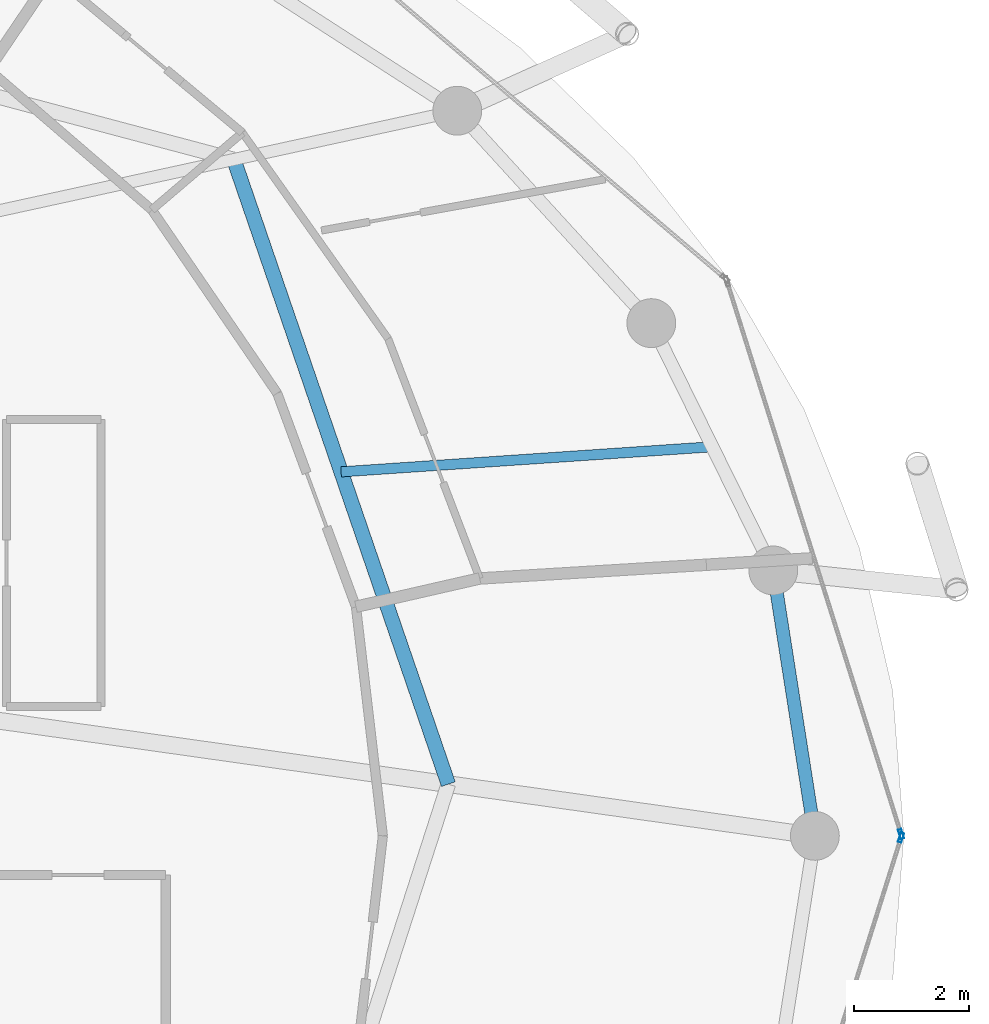
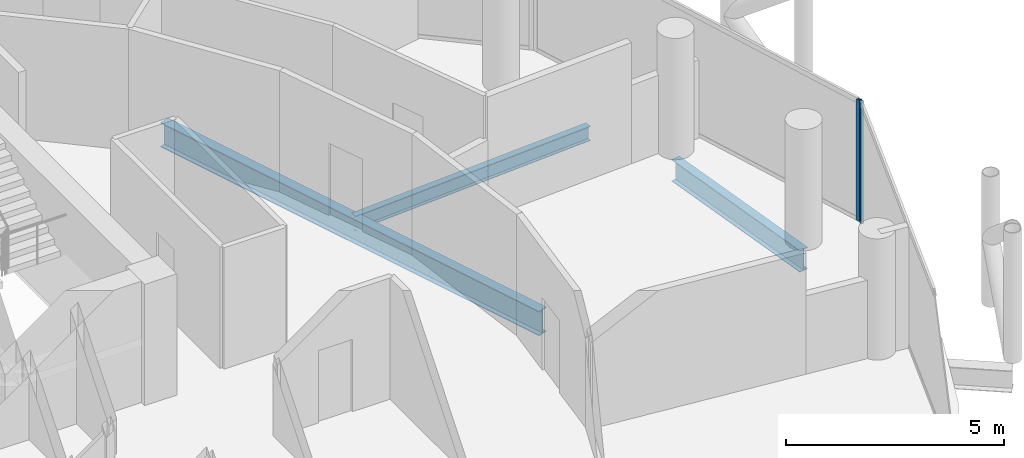
# One storey, part 15 of 27: 3 beams, 2 members, 2 elements without a shape of their own.
"""IFC4 building model written with IfcOpenShell, lengths in metres."""

from ifc_helpers import new_model, si_unit, direction, frame, origin, origin_2d, place, context, subcontext, project, spatial, hollow_rectangle, i_section, extrude, material, layer, layer_set, material_profile, profile_set, type_object, element, aggregate, save


model = new_model("IFC4")

# Units and contexts
model_context = context("Model", 3, precision=1e-05, world=origin(), true_north=direction((0.0, 1.0)))
body_context = subcontext(model_context, "Body", "Model", "MODEL_VIEW")
ifc_project = project(units=[si_unit("LENGTHUNIT", "METRE"), si_unit("AREAUNIT", "SQUARE_METRE"), si_unit("VOLUMEUNIT", "CUBIC_METRE"), si_unit("PLANEANGLEUNIT", "RADIAN"), si_unit("MASSUNIT", "GRAM", prefix="KILO")], contexts=[model_context])

# Site, building, storey
site_placement = place(None, origin())
site = spatial("IfcSite", under=ifc_project, at=site_placement, CompositionType="ELEMENT")
building_placement = place(site_placement, origin())
building = spatial("IfcBuilding", under=site, at=building_placement, Name="Nuhasar Tower", CompositionType="ELEMENT")
storey_placement = place(building_placement, frame((0.0, 0.0, 251.949951171875)))
storey = spatial("IfcBuildingStorey", under=building, at=storey_placement, Name="L62", CompositionType="ELEMENT", Elevation=251.949951171875)

# Beams
ifc_material_1 = material(Name="Steel S355", Category="steel")
ifc_material_profile_1 = material_profile(ifc_material_1, i_section(OverallWidth=0.25390625, OverallDepth=0.68408203125, WebThickness=0.012451171875, FlangeThickness=0.018798828125, at=origin_2d()), Name="W27X94")
ifc_profile_set_1 = profile_set([ifc_material_profile_1], Name="Steel S355")
beam_type_1 = type_object("IfcBeamType", Name="BM-INRING-W27X94", PredefinedType="BEAM", material=ifc_profile_set_1)
beam_1_placement = place(storey_placement, frame((53.8701171875, 27.699951171875, -0.58203125), z_axis=(-0.324809117642, 0.945779592239, 0.0), x_axis=(-0.945779592239, -0.324809117642, 0.0)))
element("IfcBeam", 1, at=beam_1_placement, inside=storey, type_object=beam_type_1, Name="L62 Inner Header Beam 04", PredefinedType="BEAM", context=body_context, shape_type="SweptSolid", body=[
    extrude(i_section(OverallWidth=0.25390625, OverallDepth=0.68408203125, WebThickness=0.012451171875, FlangeThickness=0.018798828125, at=origin_2d()), origin(), (0.0, 0.0, 1.0), 11.496337890625),
])
ifc_material_profile_2 = material_profile(ifc_material_1, i_section(OverallWidth=0.177978515625, OverallDepth=0.406005859375, WebThickness=0.0078125, FlangeThickness=0.0126953125, at=origin_2d()), Name="W16X40")
ifc_profile_set_2 = profile_set([ifc_material_profile_2], Name="Steel S355")
beam_type_2 = type_object("IfcBeamType", Name="BM-JST-W16X40", PredefinedType="JOIST", material=ifc_profile_set_2)
beam_2_placement = place(storey_placement, frame((52.0029296875, 33.135986328125, -0.44287109375), z_axis=(0.997721156568, 0.067472170095, 0.0), x_axis=(-0.067472170095, 0.997721156568, 0.0)))
element("IfcBeam", 2, at=beam_2_placement, inside=storey, type_object=beam_type_2, Name="L62 Secondary Floor Joist 04", PredefinedType="JOIST", context=body_context, shape_type="SweptSolid", body=[
    extrude(i_section(OverallWidth=0.177978515625, OverallDepth=0.406005859375, WebThickness=0.0078125, FlangeThickness=0.0126953125, at=origin_2d()), origin(), (0.0, 0.0, 1.0), 6.476806640625),
])
ifc_material_profile_3 = material_profile(ifc_material_1, i_section(OverallWidth=0.22802734375, OverallDepth=0.60791015625, WebThickness=0.01123046875, FlangeThickness=0.017333984375, at=origin_2d()), Name="W24X76")
ifc_profile_set_3 = profile_set([ifc_material_profile_3], Name="Steel S355")
beam_type_3 = type_object("IfcBeamType", Name="BM-RING-W24X76", PredefinedType="SPANDREL", material=ifc_profile_set_3)
beam_3_placement = place(storey_placement, frame((60.25, 26.800048828125, -0.5439453125), z_axis=(-0.154849872935, 0.987938012657, 0.0), x_axis=(-0.987938012657, -0.154849872935, 0.0)))
element("IfcBeam", 3, at=beam_3_placement, inside=storey, type_object=beam_type_3, Name="L62 Perimeter Ring Spandrel 01", PredefinedType="SPANDREL", context=body_context, shape_type="SweptSolid", body=[
    extrude(i_section(OverallWidth=0.22802734375, OverallDepth=0.60791015625, WebThickness=0.01123046875, FlangeThickness=0.017333984375, at=origin_2d()), origin(), (0.0, 0.0, 1.0), 4.67626953125),
])

# Curtain wall, member
ifc_material_2 = material(Name="Aluminium 6063-T6", Category="aluminium")
ifc_layer = layer(ifc_material_2, 0.18994140625)
ifc_layer_set = layer_set([ifc_layer], Name="Aluminium 6063-T6")
curtain_wall_type = type_object("IfcCurtainWallType", Name="CW-Z3-RES", PredefinedType="NOTDEFINED", material=ifc_layer_set)
curtain_wall_1_placement = place(storey_placement, origin())
curtain_wall_1 = element("IfcCurtainWall", 4, at=curtain_wall_1_placement, inside=storey, type_object=curtain_wall_type, Name="L62 Unitised Curtain Wall 01", PredefinedType="NOTDEFINED")
ifc_material_profile_4 = material_profile(ifc_material_2, hollow_rectangle(XDim=0.06494140625, YDim=0.169921875, WallThickness=0.0048828125, at=origin_2d()), Name="CWM-4")
ifc_profile_set_4 = profile_set([ifc_material_profile_4], Name="Aluminium 6063-T6")
member_type = type_object("IfcMemberType", Name="CW-MUL-S4", PredefinedType="MULLION", material=ifc_profile_set_4)
member_1_placement = place(storey_placement, frame((61.750244140625, 26.8310546875, 0.0), z_axis=(0.0, 0.0, 1.0), x_axis=(-0.95380429279, -0.30042864553, 0.0)))
member_1 = element("IfcMember", 5, at=member_1_placement, type_object=member_type, Name="CW-Z3 mullion 1", PredefinedType="MULLION", context=body_context, shape_type="SweptSolid", body=[
    extrude(hollow_rectangle(XDim=0.06494140625, YDim=0.169921875, WallThickness=0.0048828125, at=origin_2d()), origin(), (0.0, 0.0, 1.0), 3.39013671875),
])
aggregate(curtain_wall_1, [member_1])

curtain_wall_2_placement = place(storey_placement, origin())
curtain_wall_2 = element("IfcCurtainWall", 6, at=curtain_wall_2_placement, inside=storey, type_object=curtain_wall_type, Name="L62 Unitised Curtain Wall 12", PredefinedType="NOTDEFINED")
member_2_placement = place(storey_placement, frame((61.750244140625, 26.76904296875, 0.0), z_axis=(0.0, 0.0, 1.0), x_axis=(-0.95380429279, 0.30042864553, 0.0)))
member_2 = element("IfcMember", 7, at=member_2_placement, type_object=member_type, Name="CW-Z3 mullion 2", PredefinedType="MULLION", context=body_context, shape_type="SweptSolid", body=[
    extrude(hollow_rectangle(XDim=0.06494140625, YDim=0.169921875, WallThickness=0.0048828125, at=origin_2d()), origin(), (0.0, 0.0, 1.0), 3.39013671875),
])
aggregate(curtain_wall_2, [member_2])

save(model, "model.ifc")
